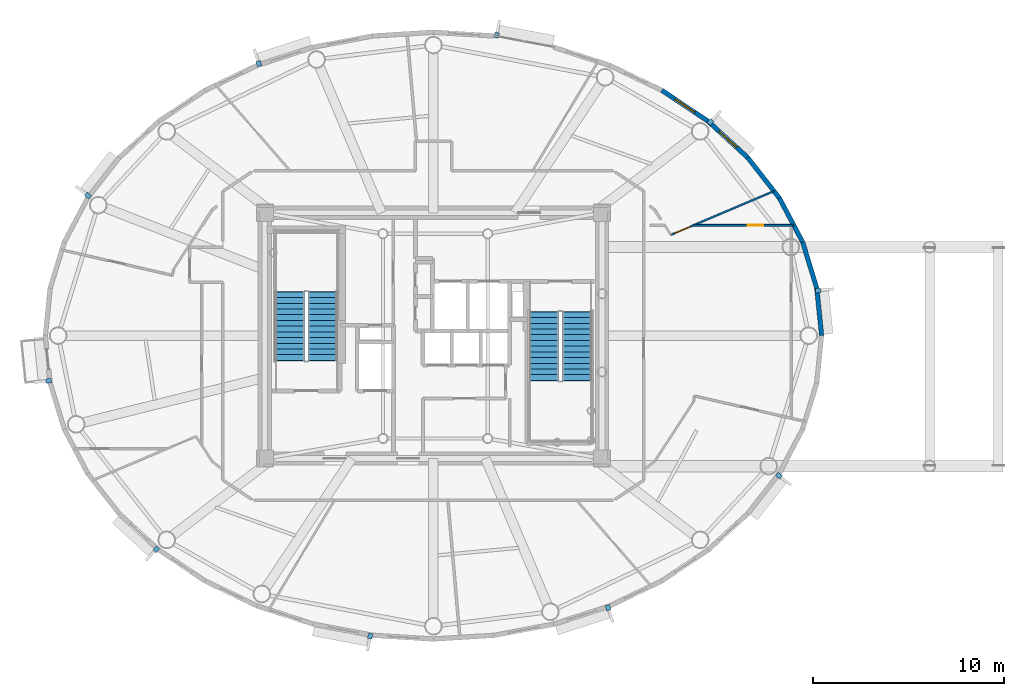
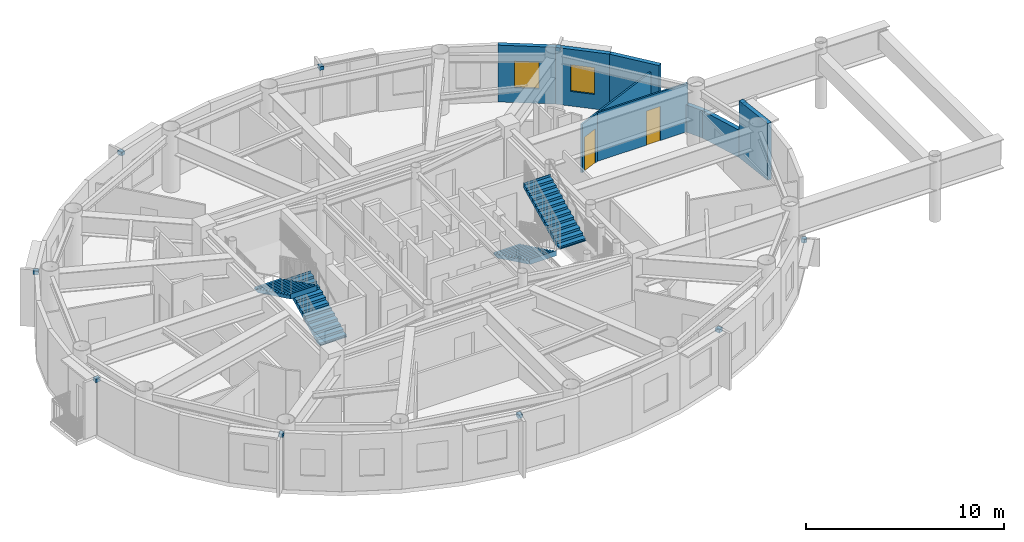
# One storey, part 10 of 16: 10 discrete accessories, 8 walls, 4 stair flights, 2 doors, 2 windows, 4 openings, 2 elements without a shape of their own.
"""IFC4 building model written with IfcOpenShell, lengths in metres."""

import ifcopenshell
import ifcopenshell.guid

model = None  # the IFC model being written
_history = None  # IfcOwnerHistory: only IFC2X3 demands one
_inside = {}  # id of a spatial element -> (the spatial element, [elements in it])
_under = {}  # id of a project, library or spatial element -> (it, [spatial elements below it])
_declared = {}  # id of a project -> (the project, [libraries it declares])
_typed = {}  # id of a type object -> (the type object, [elements of that type])
_made_of = {}  # id of a material, layer set ... -> (it, [elements and type objects made of it])


def new_model(schema):
    """Start an empty IFC model of exactly this schema.

    Asked for "IFC4X3", IfcOpenShell would pick the latest addendum, in which some entities
    have other attributes; the version numbers below select the first issue.
    IFC2X3 requires an IfcOwnerHistory on every rooted entity: one is made here for all.
    """
    global model, _history
    if schema == "IFC4X3":
        model = ifcopenshell.file(schema_version=(4, 3, 0, 0))
    else:
        model = ifcopenshell.file(schema=schema)
    _inside.clear()
    _under.clear()
    _declared.clear()
    _typed.clear()
    _made_of.clear()
    _history = None
    if model.schema == "IFC2X3":
        org = make("IfcOrganization", Name="unknown")
        user = make(
            "IfcPersonAndOrganization",
            ThePerson=make("IfcPerson", FamilyName="unknown"),
            TheOrganization=org,
        )
        app = make(
            "IfcApplication",
            ApplicationDeveloper=org,
            Version="unknown",
            ApplicationFullName="unknown",
            ApplicationIdentifier="unknown",
        )
        _history = make(
            "IfcOwnerHistory",
            OwningUser=user,
            OwningApplication=app,
            ChangeAction="ADDED",
            CreationDate=0,
        )
    return model


def make(cls, **values):
    """One entity of the class cls with the attributes given. An attribute that is None is left unset."""
    return model.create_entity(
        cls, **{name: value for name, value in values.items() if value is not None}
    )


def rooted(cls, **values):
    """An entity with a GlobalId (a new one), such as an element, a storey or a relation."""
    return make(cls, GlobalId=ifcopenshell.guid.new(), OwnerHistory=_history, **values)


def si_unit(unit_type, name, prefix=None):
    """IfcSIUnit, for example si_unit("LENGTHUNIT", "METRE", prefix="MILLI")."""
    return make("IfcSIUnit", UnitType=unit_type, Prefix=prefix, Name=name)


def assignment(units):
    """IfcUnitAssignment: the units of a project."""
    return None if units is None else make("IfcUnitAssignment", Units=units)


def point(xyz):
    """IfcCartesianPoint."""
    return None if xyz is None else make("IfcCartesianPoint", Coordinates=xyz)


def direction(xyz):
    """IfcDirection."""
    return None if xyz is None else make("IfcDirection", DirectionRatios=xyz)


def frame(location, z_axis=None, x_axis=None):
    """IfcAxis2Placement3D, a coordinate frame: its origin and axes. An axis left out is left unset."""
    return make(
        "IfcAxis2Placement3D",
        Location=point(location),
        Axis=direction(z_axis),
        RefDirection=direction(x_axis),
    )


def frame_2d(location, x_axis=None):
    """IfcAxis2Placement2D, a coordinate frame in the plane: its origin and x axis."""
    return make(
        "IfcAxis2Placement2D", Location=point(location), RefDirection=direction(x_axis)
    )


def origin():
    """The frame at (0, 0, 0) with its axes left unset."""
    return frame((0.0, 0.0, 0.0))


def origin_2d():
    """The frame at (0, 0) in the plane with its x axis left unset."""
    return frame_2d((0.0, 0.0))


def place(relative_to, where):
    """IfcLocalPlacement: puts the frame where relative to a parent placement (None: the world)."""
    return make(
        "IfcLocalPlacement", PlacementRelTo=relative_to, RelativePlacement=where
    )


def context(
    kind, dimensions, precision=None, world=None, true_north=None, identifier=None
):
    """IfcGeometricRepresentationContext, for example the 3D "Model" context."""
    return make(
        "IfcGeometricRepresentationContext",
        ContextIdentifier=identifier,
        ContextType=kind,
        CoordinateSpaceDimension=dimensions,
        Precision=precision,
        WorldCoordinateSystem=world,
        TrueNorth=true_north,
    )


def subcontext(parent, identifier, kind, view, scale=None):
    """IfcGeometricRepresentationSubContext, for example "Body" below "Model"."""
    return make(
        "IfcGeometricRepresentationSubContext",
        ContextIdentifier=identifier,
        ContextType=kind,
        ParentContext=parent,
        TargetScale=scale,
        TargetView=view,
    )


def project(units=None, contexts=None):
    """IfcProject with its units and contexts."""
    return rooted(
        "IfcProject",
        Name="project",
        RepresentationContexts=contexts,
        UnitsInContext=assignment(units),
    )


def spatial(cls, under=None, at=None, **own):
    """A site, building, storey or space (cls), placed at a placement, below another one or the project."""
    s = rooted(cls, ObjectPlacement=at, **own)
    if under is not None:
        _under.setdefault(under.id(), (under, []))[1].append(s)
    return s


def polyline(points):
    """IfcPolyline through the points."""
    return make("IfcPolyline", Points=[point(p) for p in points])


def profile(cls, at=None, kind="AREA", **sizes):
    """A parametric profile (cls). Its sizes go by their IFC names, for example OverallWidth=200.0."""
    return make(cls, ProfileType=kind, Position=at, **sizes)


def rectangle(**sizes):
    """IfcRectangleProfileDef."""
    return profile("IfcRectangleProfileDef", **sizes)


def outline(outer, holes=None, kind="AREA"):
    """IfcArbitraryClosedProfileDef: a profile drawn as a closed curve; with holes, ...WithVoids."""
    if holes is None:
        return make("IfcArbitraryClosedProfileDef", ProfileType=kind, OuterCurve=outer)
    return make(
        "IfcArbitraryProfileDefWithVoids",
        ProfileType=kind,
        OuterCurve=outer,
        InnerCurves=holes,
    )


def extrude(swept, where, along, depth):
    """IfcExtrudedAreaSolid: the profile swept, set in the frame where, extruded along a direction by depth."""
    return make(
        "IfcExtrudedAreaSolid",
        SweptArea=swept,
        Position=where,
        ExtrudedDirection=direction(along),
        Depth=depth,
    )


def shape(context_of_items, identifier, shape_type, items):
    """IfcShapeRepresentation: the items that make up one representation, for example the "Body"."""
    return make(
        "IfcShapeRepresentation",
        ContextOfItems=context_of_items,
        RepresentationIdentifier=identifier,
        RepresentationType=shape_type,
        Items=items,
    )


def source(mapping_origin, context_of_items, identifier, shape_type, items):
    """IfcRepresentationMap: a shape defined once, which mapped items show again and again."""
    return make(
        "IfcRepresentationMap",
        MappingOrigin=mapping_origin,
        MappedRepresentation=shape(context_of_items, identifier, shape_type, items),
    )


def transform(
    local_origin,
    x_axis=None,
    y_axis=None,
    z_axis=None,
    scale=None,
    scale2=None,
    scale3=None,
    uniform=True,
):
    """IfcCartesianTransformationOperator3D, or its non-uniform kind. x_axis, y_axis, z_axis: its Axis1, 2, 3."""
    if uniform:
        return make(
            "IfcCartesianTransformationOperator3D",
            Axis1=direction(x_axis),
            Axis2=direction(y_axis),
            LocalOrigin=point(local_origin),
            Scale=scale,
            Axis3=direction(z_axis),
        )
    return make(
        "IfcCartesianTransformationOperator3DnonUniform",
        Axis1=direction(x_axis),
        Axis2=direction(y_axis),
        LocalOrigin=point(local_origin),
        Scale=scale,
        Axis3=direction(z_axis),
        Scale2=scale2,
        Scale3=scale3,
    )


def mapped(mapping_source, mapping_target):
    """IfcMappedItem: shows the shape of a source again, moved by a transform."""
    return make(
        "IfcMappedItem", MappingSource=mapping_source, MappingTarget=mapping_target
    )


def material(Name=None, Category=None):
    """IfcMaterial."""
    return make("IfcMaterial", Name=Name, Category=Category)


def layer(
    of_material, thickness, ventilated=None, Name=None, Category=None, Priority=None
):
    """IfcMaterialLayer: one layer of a wall or slab, of a material (None: an air gap)."""
    return make(
        "IfcMaterialLayer",
        Material=of_material,
        LayerThickness=thickness,
        IsVentilated=ventilated,
        Name=Name,
        Category=Category,
        Priority=Priority,
    )


def layer_set(layers, Name=None):
    """IfcMaterialLayerSet."""
    return make("IfcMaterialLayerSet", MaterialLayers=layers, LayerSetName=Name)


def made_of(thing, what):
    """Note that an element or type object is made of a material, layer set ...; save() writes the relation."""
    if what is not None:
        _made_of.setdefault(what.id(), (what, []))[1].append(thing)
    return thing


def type_object(cls, material=None, **own):
    """A type object (cls), such as IfcWallType, which elements share."""
    return made_of(rooted(cls, **own), material)


def element(
    cls,
    number,
    at=None,
    inside=None,
    cuts=None,
    type_object=None,
    material=None,
    context=None,
    identifier="Body",
    shape_type=None,
    held_by="IfcProductDefinitionShape",
    body=None,
    shapes=None,
    **own,
):
    """One element of the class cls, such as IfcWall. Its Tag is "e" and its number.

    at: its placement. inside: the storey or other place that contains it. cuts: it is an
    opening in that element (IfcRelVoidsElement). A single representation is given by context,
    identifier, shape_type and body (its items); several are given by shapes. held_by: the class
    of the entity that holds the representations. save() writes the other relations.
    """
    e = rooted(cls, Tag="e%d" % number, ObjectPlacement=at, **own)
    if body is not None:
        shapes = [shape(context, identifier, shape_type, body)]
    if shapes is not None:
        e.Representation = make(held_by, Representations=shapes)
    if inside is not None:
        _inside.setdefault(inside.id(), (inside, []))[1].append(e)
    if cuts is not None:
        rooted(
            "IfcRelVoidsElement", RelatingBuildingElement=cuts, RelatedOpeningElement=e
        )
    if type_object is not None:
        _typed.setdefault(type_object.id(), (type_object, []))[1].append(e)
    return made_of(e, material)


def fill(opening, filler):
    """IfcRelFillsElement: the door or window that sits in an opening."""
    return rooted(
        "IfcRelFillsElement",
        RelatingOpeningElement=opening,
        RelatedBuildingElement=filler,
    )


def aggregate(whole, parts):
    """IfcRelAggregates: a whole, such as a stair, and the parts it consists of."""
    return rooted("IfcRelAggregates", RelatingObject=whole, RelatedObjects=parts)


def save(model, path):
    """Write the relations noted so far, then the file.

    IfcRelAggregates (storeys below a building ...), IfcRelContainedInSpatialStructure (elements
    in a storey), IfcRelDefinesByType, IfcRelAssociatesMaterial and IfcRelDeclares: one each for
    every whole, place, type object, material and project.
    """
    for whole, parts in _under.values():
        aggregate(whole, parts)
    for where, things in _inside.values():
        rooted(
            "IfcRelContainedInSpatialStructure",
            RelatedElements=things,
            RelatingStructure=where,
        )
    for kind, things in _typed.values():
        rooted("IfcRelDefinesByType", RelatedObjects=things, RelatingType=kind)
    for what, things in _made_of.values():
        rooted("IfcRelAssociatesMaterial", RelatedObjects=things, RelatingMaterial=what)
    for by, libraries in _declared.values():
        rooted("IfcRelDeclares", RelatingContext=by, RelatedDefinitions=libraries)
    model.write(path)


model = new_model("IFC4")

# Units and contexts
model_context = context("Model", 3, precision=1e-05, world=origin(), true_north=direction((0.0, 1.0)))
body_context = subcontext(model_context, "Body", "Model", "MODEL_VIEW")
ifc_project = project(units=[si_unit("LENGTHUNIT", "METRE"), si_unit("AREAUNIT", "SQUARE_METRE"), si_unit("VOLUMEUNIT", "CUBIC_METRE"), si_unit("PLANEANGLEUNIT", "RADIAN"), si_unit("MASSUNIT", "GRAM", prefix="KILO")], contexts=[model_context])

# Site, building, storey
site_placement = place(None, origin())
site = spatial("IfcSite", under=ifc_project, at=site_placement, CompositionType="ELEMENT")
building_placement = place(site_placement, origin())
building = spatial("IfcBuilding", under=site, at=building_placement, Name="Linh Dai School and Residence Tower", CompositionType="ELEMENT")
storey_placement = place(building_placement, frame((0.0, 0.0, 343.0)))
storey = spatial("IfcBuildingStorey", under=building, at=storey_placement, Name="L85", CompositionType="ELEMENT", Elevation=343.0)

# Walls
ifc_material_1 = material(Name="Precast Concrete B45 (C35/45)", Category="concrete")
ifc_layer_1 = layer(ifc_material_1, 0.239990234375)
ifc_layer_set_1 = layer_set([ifc_layer_1], Name="Precast Concrete B45 (C35/45)")
wall_type_1 = type_object("IfcWallType", Name="EW-TC-240", PredefinedType="SOLIDWALL", material=ifc_layer_set_1)
wall_1_placement = place(storey_placement, frame((56.125, 29.48681640625, 0.0), z_axis=(0.0, 0.0, 1.0), x_axis=(0.100025963401, -0.994984827344, 0.0)))
element("IfcWall", 1, at=wall_1_placement, inside=storey, type_object=wall_type_1, Name="L85 Terracotta Exterior Wall 01", PredefinedType="SOLIDWALL", context=body_context, shape_type="SweptSolid", body=[
    extrude(rectangle(XDim=2.499267578125, YDim=0.239990234375, at=frame_2d((1.24951171875, 0.0))), origin(), (0.0, 0.0, 1.0), 3.5),
])
wall_2_placement = place(storey_placement, frame((55.381103515625, 31.913330078125, 0.0), z_axis=(0.0, 0.0, 1.0), x_axis=(0.293105547213, -0.956080089842, 0.0)))
element("IfcWall", 2, at=wall_2_placement, inside=storey, type_object=wall_type_1, Name="L85 Terracotta Exterior Wall 02", PredefinedType="SOLIDWALL", context=body_context, shape_type="SweptSolid", body=[
    extrude(rectangle(XDim=2.5380859375, YDim=0.239990234375, at=frame_2d((1.26904296875, 0.0))), origin(), (0.0, 0.0, 1.0), 1.68505859375),
])
wall_3_placement = place(storey_placement, frame((54.160888671875, 34.220703125, 0.0), z_axis=(0.0, 0.0, 1.0), x_axis=(0.467487999989, -0.883999417345, 0.0)))
element("IfcWall", 3, at=wall_3_placement, inside=storey, type_object=wall_type_1, Name="L85 Terracotta Exterior Wall 03", PredefinedType="SOLIDWALL", context=body_context, shape_type="SweptSolid", body=[
    extrude(rectangle(XDim=2.610107421875, YDim=0.239990234375, at=frame_2d((1.30517578125, 0.0))), origin(), (0.0, 0.0, 1.0), 1.68505859375),
])
wall_4_placement = place(storey_placement, frame((52.4931640625, 36.351806640625, 0.0), z_axis=(0.0, 0.0, 1.0), x_axis=(0.616286367698, -0.78752213492, 0.0)))
element("IfcWall", 4, at=wall_4_placement, inside=storey, type_object=wall_type_1, Name="L85 Terracotta Exterior Wall 04", PredefinedType="SOLIDWALL", context=body_context, shape_type="SweptSolid", body=[
    extrude(rectangle(XDim=2.7060546875, YDim=0.239990234375, at=frame_2d((1.35302734375, 0.0))), origin(), (0.0, 0.0, 1.0), 3.5),
])

# Wall, opening, window
wall_5_placement = place(storey_placement, frame((50.418701171875, 38.254150390625, 0.0), z_axis=(0.0, 0.0, 1.0), x_axis=(0.737020907932, -0.675869944051, 0.0)))
wall_5 = element("IfcWall", 5, at=wall_5_placement, inside=storey, type_object=wall_type_1, Name="L85 Terracotta Exterior Wall 05", PredefinedType="SOLIDWALL", context=body_context, shape_type="SweptSolid", body=[
    extrude(rectangle(XDim=2.814697265625, YDim=0.239990234375, at=frame_2d((1.4072265625, 0.0))), origin(), (0.0, 0.0, 1.0), 3.5),
])
opening_1_placement = place(wall_5_placement, frame((0.781982421875, 0.0, 0.89990234375)))
opening_1 = element("IfcOpeningElement", 6, at=opening_1_placement, cuts=wall_5, Name="Opening W3", PredefinedType="OPENING", context=body_context, shape_type="SweptSolid", body=[
    extrude(rectangle(XDim=1.25, YDim=1.64990234375, at=origin_2d()), frame((0.625, 0.1298828125, 0.824951171875), z_axis=(0.0, -1.0, 0.0), x_axis=(1.0, 0.0, 0.0)), (0.0, 0.0, 1.0), 0.260009765625),
])
ifc_material_2 = material(Name="Double Low-E Insulated Glazing", Category="glass")
window_type = type_object("IfcWindowType", Name="WN-RES-1250x1650", PartitioningType="SINGLE_PANEL", PredefinedType="WINDOW", material=ifc_material_2)
shared_shape_1 = source(origin(), body_context, "Body", "SweptSolid", [
    extrude(rectangle(XDim=1.25, YDim=1.64990234375, at=origin_2d()), frame((0.625, 0.030029296875, 0.824951171875), z_axis=(0.0, -1.0, 0.0), x_axis=(1.0, 0.0, 0.0)), (0.0, 0.0, 1.0), 0.06005859375),
])
window_1_placement = place(opening_1_placement, origin())
window_1 = element("IfcWindow", 7, at=window_1_placement, inside=storey, type_object=window_type, Name="L85 Exterior Window 05.1", OverallHeight=1.64990234375, OverallWidth=1.25, PartitioningType="SINGLE_PANEL", PredefinedType="WINDOW", context=body_context, shape_type="MappedRepresentation", body=[
    mapped(shared_shape_1, transform((0.0, 0.0, 0.0), x_axis=(1.0, 0.0, 0.0), y_axis=(0.0, 1.0, 0.0), z_axis=(0.0, 0.0, 1.0), scale=1.0)),
])
fill(opening_1, window_1)

wall_6_placement = place(storey_placement, frame((47.98779296875, 39.880126953125, 0.0), z_axis=(0.0, 0.0, 1.0), x_axis=(0.831201688654, -0.555970999944, 0.0)))
wall_6 = element("IfcWall", 8, at=wall_6_placement, inside=storey, type_object=wall_type_1, Name="L85 Terracotta Exterior Wall 06", PredefinedType="SOLIDWALL", context=body_context, shape_type="SweptSolid", body=[
    extrude(rectangle(XDim=2.924560546875, YDim=0.239990234375, at=frame_2d((1.46240234375, 0.0))), origin(), (0.0, 0.0, 1.0), 3.5),
])
opening_2_placement = place(wall_6_placement, frame((0.837158203125, 0.0, 0.89990234375)))
opening_2 = element("IfcOpeningElement", 9, at=opening_2_placement, cuts=wall_6, Name="Opening W3", PredefinedType="OPENING", context=body_context, shape_type="SweptSolid", body=[
    extrude(rectangle(XDim=1.25, YDim=1.64990234375, at=origin_2d()), frame((0.625, 0.1298828125, 0.824951171875), z_axis=(0.0, -1.0, 0.0), x_axis=(1.0, 0.0, 0.0)), (0.0, 0.0, 1.0), 0.260009765625),
])
window_2_placement = place(opening_2_placement, origin())
window_2 = element("IfcWindow", 10, at=window_2_placement, inside=storey, type_object=window_type, Name="L85 Exterior Window 06.1", OverallHeight=1.64990234375, OverallWidth=1.25, PartitioningType="SINGLE_PANEL", PredefinedType="WINDOW", context=body_context, shape_type="MappedRepresentation", body=[
    mapped(shared_shape_1, transform((0.0, 0.0, 0.0), x_axis=(1.0, 0.0, 0.0), y_axis=(0.0, 1.0, 0.0), z_axis=(0.0, 0.0, 1.0), scale=1.0)),
])
fill(opening_2, window_2)

# Wall, opening, door
ifc_material_3 = material(Name="Gypsum Plasterboard Acoustic Stud Partition", Category="masonry")
ifc_layer_2 = layer(ifc_material_3, 0.10009765625)
ifc_layer_set_2 = layer_set([ifc_layer_2], Name="Gypsum Plasterboard Acoustic Stud Partition")
wall_type_2 = type_object("IfcWallType", Name="IW-UNIT-100", PredefinedType="PARTITIONING", material=ifc_layer_set_2)
wall_7_placement = place(storey_placement, frame((48.46484375, 32.291015625, 0.0), z_axis=(0.0, 0.0, 1.0), x_axis=(0.920507145492, 0.390725728739, 0.0)))
wall_7 = element("IfcWall", 11, at=wall_7_placement, inside=storey, type_object=wall_type_2, Name="L85 Interior Partition Wall 063", PredefinedType="PARTITIONING", context=body_context, shape_type="SweptSolid", body=[
    extrude(rectangle(XDim=5.881591796875, YDim=0.10009765625, at=frame_2d((2.94091796875, 0.0))), origin(), (0.0, 0.0, 1.0), 2.985107421875),
])
opening_3_placement = place(wall_7_placement, frame((0.204833984375, 0.0, 0.0)))
opening_3 = element("IfcOpeningElement", 12, at=opening_3_placement, cuts=wall_7, Name="Opening D05", PredefinedType="OPENING", context=body_context, shape_type="SweptSolid", body=[
    extrude(rectangle(XDim=0.89990234375, YDim=2.10009765625, at=origin_2d()), frame((0.449951171875, 0.06005859375, 1.050048828125), z_axis=(0.0, -1.0, 0.0), x_axis=(1.0, 0.0, 0.0)), (0.0, 0.0, 1.0), 0.1201171875),
])
ifc_material_4 = material(Name="Engineered Timber Internal Door", Category="wood")
door_type_1 = type_object("IfcDoorType", Name="DR-INT-900x2100", OperationType="NOTDEFINED", PredefinedType="DOOR", material=ifc_material_4)
shared_shape_2 = source(origin(), body_context, "Body", "SweptSolid", [
    extrude(rectangle(XDim=0.89990234375, YDim=2.10009765625, at=origin_2d()), frame((0.449951171875, 0.02490234375, 1.050048828125), z_axis=(0.0, -1.0, 0.0), x_axis=(1.0, 0.0, 0.0)), (0.0, 0.0, 1.0), 0.050048828125),
])
door_1_placement = place(opening_3_placement, origin())
door_1 = element("IfcDoor", 13, at=door_1_placement, inside=storey, type_object=door_type_1, Name="L85 Apartment U8502 Principal Bedroom 3 Door", OperationType="SINGLE_SWING_RIGHT", OverallHeight=2.10009765625, OverallWidth=0.89990234375, PredefinedType="DOOR", context=body_context, shape_type="MappedRepresentation", body=[
    mapped(shared_shape_2, transform((0.0, 0.0, 0.0), x_axis=(1.0, 0.0, 0.0), y_axis=(0.0, 1.0, 0.0), z_axis=(0.0, 0.0, 1.0), scale=1.0)),
])
fill(opening_3, door_1)

wall_8_placement = place(storey_placement, frame((49.63427734375, 32.787109375, 0.0), z_axis=(0.0, 0.0, 1.0), x_axis=(1.0, 0.0, 0.0)))
wall_8 = element("IfcWall", 14, at=wall_8_placement, inside=storey, type_object=wall_type_2, Name="L85 Interior Partition Wall 064", PredefinedType="PARTITIONING", context=body_context, shape_type="SweptSolid", body=[
    extrude(rectangle(XDim=5.29052734375, YDim=0.10009765625, at=frame_2d((2.645263671875, 0.0))), origin(), (0.0, 0.0, 1.0), 2.985107421875),
])
opening_4_placement = place(wall_8_placement, frame((2.869873046875, 0.0, 0.0)))
opening_4 = element("IfcOpeningElement", 15, at=opening_4_placement, cuts=wall_8, Name="Opening D06", PredefinedType="OPENING", context=body_context, shape_type="SweptSolid", body=[
    extrude(rectangle(XDim=0.820068359375, YDim=2.10009765625, at=origin_2d()), frame((0.41015625, 0.06005859375, 1.050048828125), z_axis=(0.0, -1.0, 0.0), x_axis=(1.0, 0.0, 0.0)), (0.0, 0.0, 1.0), 0.1201171875),
])
ifc_material_5 = material(Name="Moisture-Resistant Timber Bathroom Door", Category="wood")
door_type_2 = type_object("IfcDoorType", Name="DR-WET-820x2100", OperationType="NOTDEFINED", PredefinedType="DOOR", material=ifc_material_5)
shared_shape_3 = source(origin(), body_context, "Body", "SweptSolid", [
    extrude(rectangle(XDim=0.820068359375, YDim=2.10009765625, at=origin_2d()), frame((0.41015625, 0.02490234375, 1.050048828125), z_axis=(0.0, -1.0, 0.0), x_axis=(1.0, 0.0, 0.0)), (0.0, 0.0, 1.0), 0.050048828125),
])
door_2_placement = place(opening_4_placement, origin())
door_2 = element("IfcDoor", 16, at=door_2_placement, inside=storey, type_object=door_type_2, Name="L85 Apartment U8502 Bathroom 1 Door", OperationType="SINGLE_SWING_RIGHT", OverallHeight=2.10009765625, OverallWidth=0.820068359375, PredefinedType="DOOR", context=body_context, shape_type="MappedRepresentation", body=[
    mapped(shared_shape_3, transform((0.0, 0.0, 0.0), x_axis=(1.0, 0.0, 0.0), y_axis=(0.0, 1.0, 0.0), z_axis=(0.0, 0.0, 1.0), scale=1.0)),
])
fill(opening_4, door_2)

# Stair, stair flights
ifc_material_6 = material(Name="Concrete B45 (C35/45)", Category="concrete")
stair_type = type_object("IfcStairType", Name="ST-DOG-1550-R1462", PredefinedType="HALF_TURN_STAIR", material=ifc_material_6)
stair_1_placement = place(storey_placement, origin())
stair_1 = element("IfcStair", 17, at=stair_1_placement, inside=storey, type_object=stair_type, Name="L85 Core Smokeproof Exit Stair ST1", PredefinedType="HALF_TURN_STAIR")
stair_flight_type = type_object("IfcStairFlightType", Name="STF-STR-1550-R1462", PredefinedType="STRAIGHT", material=ifc_material_6)
shared_shape_4 = source(origin(), body_context, "Body", "SweptSolid", [
    extrude(outline(polyline([(-0.02490234375, 0.0), (-0.02490234375, 0.06005859375), (0.0, 0.06005859375), (0.0, 0.146240234375), (0.300048828125, 0.146240234375), (0.300048828125, 0.292236328125), (0.60009765625, 0.292236328125), (0.60009765625, 0.4384765625), (0.89990234375, 0.4384765625), (0.89990234375, 0.584716796875), (1.199951171875, 0.584716796875), (1.199951171875, 0.730712890625), (1.5, 0.730712890625), (1.5, 0.876953125), (1.800048828125, 0.876953125), (1.800048828125, 1.023193359375), (2.10009765625, 1.023193359375), (2.10009765625, 1.169189453125), (2.39990234375, 1.169189453125), (2.39990234375, 1.3154296875), (2.699951171875, 1.3154296875), (2.699951171875, 1.46142578125), (3.0, 1.46142578125), (3.0, 1.607666015625), (3.300048828125, 1.607666015625), (3.300048828125, 1.75390625), (3.60009765625, 1.75390625), (3.60009765625, 1.89990234375), (3.625, 1.89990234375), (3.625, 1.587158203125), (3.60009765625, 1.587158203125), (0.34228515625, 0.0), (-0.02490234375, 0.0)])), frame((0.0, 0.77490234375, 0.0), z_axis=(0.0, -1.0, 0.0), x_axis=(1.0, 0.0, 0.0)), (0.0, 0.0, 1.0), 1.550048828125),
])
stair_flight_1_placement = place(storey_placement, frame((30.205078125, 25.699951171875, 0.0), z_axis=(0.0, 0.0, 1.0), x_axis=(0.0, 1.0, 0.0)))
stair_flight_1 = element("IfcStairFlight", 18, at=stair_flight_1_placement, type_object=stair_flight_type, Name="ST1 flight 1", NumberOfRisers=13, NumberOfTreads=12, PredefinedType="STRAIGHT", RiserHeight=0.146153846, TreadLength=0.3, context=body_context, shape_type="MappedRepresentation", body=[
    mapped(shared_shape_4, transform((0.0, 0.0, 0.0), x_axis=(1.0, 0.0, 0.0), y_axis=(0.0, 1.0, 0.0), z_axis=(0.0, 0.0, 1.0), scale=1.0)),
])
stair_flight_2_placement = place(storey_placement, frame((28.455078125, 29.300048828125, 1.89990234375), z_axis=(0.0, 0.0, 1.0), x_axis=(0.0, -1.0, 0.0)))
stair_flight_2 = element("IfcStairFlight", 19, at=stair_flight_2_placement, type_object=stair_flight_type, Name="ST1 flight 2", NumberOfRisers=13, NumberOfTreads=12, PredefinedType="STRAIGHT", RiserHeight=0.146153846, TreadLength=0.3, context=body_context, shape_type="MappedRepresentation", body=[
    mapped(shared_shape_4, transform((0.0, 0.0, 0.0), x_axis=(1.0, 0.0, 0.0), y_axis=(0.0, 1.0, 0.0), z_axis=(0.0, 0.0, 1.0), scale=1.0)),
])
aggregate(stair_1, [stair_flight_1, stair_flight_2])

stair_2_placement = place(storey_placement, origin())
stair_2 = element("IfcStair", 20, at=stair_2_placement, inside=storey, type_object=stair_type, Name="L85 Core Smokeproof Exit Stair ST2", PredefinedType="HALF_TURN_STAIR")
stair_flight_3_placement = place(storey_placement, frame((41.794921875, 28.25, 0.0), z_axis=(0.0, 0.0, 1.0), x_axis=(0.0, -1.0, 0.0)))
stair_flight_3 = element("IfcStairFlight", 21, at=stair_flight_3_placement, type_object=stair_flight_type, Name="ST2 flight 1", NumberOfRisers=13, NumberOfTreads=12, PredefinedType="STRAIGHT", RiserHeight=0.146153846, TreadLength=0.3, context=body_context, shape_type="MappedRepresentation", body=[
    mapped(shared_shape_4, transform((0.0, 0.0, 0.0), x_axis=(1.0, 0.0, 0.0), y_axis=(0.0, 1.0, 0.0), z_axis=(0.0, 0.0, 1.0), scale=1.0)),
])
stair_flight_4_placement = place(storey_placement, frame((43.544921875, 24.64990234375, 1.89990234375), z_axis=(0.0, 0.0, 1.0), x_axis=(0.0, 1.0, 0.0)))
stair_flight_4 = element("IfcStairFlight", 22, at=stair_flight_4_placement, type_object=stair_flight_type, Name="ST2 flight 2", NumberOfRisers=13, NumberOfTreads=12, PredefinedType="STRAIGHT", RiserHeight=0.146153846, TreadLength=0.3, context=body_context, shape_type="MappedRepresentation", body=[
    mapped(shared_shape_4, transform((0.0, 0.0, 0.0), x_axis=(1.0, 0.0, 0.0), y_axis=(0.0, 1.0, 0.0), z_axis=(0.0, 0.0, 1.0), scale=1.0)),
])
aggregate(stair_2, [stair_flight_3, stair_flight_4])

# Discrete accessories
ifc_material_7 = material(Name="Structural Steel S355JR", Category="steel")
discrete_accessory_type = type_object("IfcDiscreteAccessoryType", Name="ACC-BRK-S355", PredefinedType="BRACKET", material=ifc_material_7)
shared_shape_5 = source(origin(), body_context, "Body", "SweptSolid", [
    extrude(rectangle(XDim=0.280029296875, YDim=0.239990234375, at=origin_2d()), origin(), (0.0, 0.0, 1.0), 0.219970703125),
])
for number, where, z_axis, x_axis, name in (
    (23, (56.19677734375, 29.373291015625, 3.25), (0.0, 0.0, 1.0), (0.994988264886, 0.099991763355, 0.0), "L85 Facade Frame Anchor Bracket 01"),
    (24, (50.547607421875, 38.21728515625, 3.25), (0.0, 0.0, 1.0), (0.675840935412, 0.73704750866, 0.0), "L85 Facade Frame Anchor Bracket 05"),
    (25, (39.320556640625, 42.77001953125, 3.25), (0.0, 0.0, 1.0), (0.184784564405, 0.982779051851, 0.0), "L85 Facade Frame Anchor Bracket 09"),
    (26, (26.835205078125, 41.283203125, 3.25), (0.0, 0.0, 1.0), (-0.30856528097, 0.951203168298, 0.0), "L85 Facade Frame Anchor Bracket 13"),
    (27, (17.86572265625, 34.35205078125, 3.25), (0.0, 0.0, 1.0), (-0.787553267085, 0.616246583361, 0.0), "L85 Facade Frame Anchor Bracket 17"),
    (28, (15.80322265625, 24.626708984375, 3.25), (0.0, 0.0, 1.0), (-0.994988264886, -0.099991763355, 0.0), "L85 Facade Frame Anchor Bracket 21"),
    (29, (21.452392578125, 15.78271484375, 3.25), (0.0, 0.0, 1.0), (-0.675840935412, -0.73704750866, 0.0), "L85 Facade Frame Anchor Bracket 25"),
    (30, (32.679443359375, 11.22998046875, 3.25), (0.0, 0.0, 1.0), (-0.184784564405, -0.982779051851, 0.0), "L85 Facade Frame Anchor Bracket 29"),
    (31, (45.164794921875, 12.716796875, 3.25), (0.0, 0.0, 1.0), (0.30856528097, -0.951203168298, 0.0), "L85 Facade Frame Anchor Bracket 33"),
    (32, (54.13427734375, 19.64794921875, 1.43505859375), (0.0, 0.0, 1.0), (0.787553267085, -0.616246583361, 0.0), "L85 Facade Frame Anchor Bracket 37"),
):
    element("IfcDiscreteAccessory", number, at=place(storey_placement, frame(where, z_axis=z_axis, x_axis=x_axis)), inside=storey, type_object=discrete_accessory_type, Name=name, PredefinedType="BRACKET", context=body_context, shape_type="MappedRepresentation", body=[
        mapped(shared_shape_5, transform((0.0, 0.0, 0.0), x_axis=(1.0, 0.0, 0.0), y_axis=(0.0, 1.0, 0.0), z_axis=(0.0, 0.0, 1.0), scale=1.0)),
    ])

save(model, "model.ifc")
